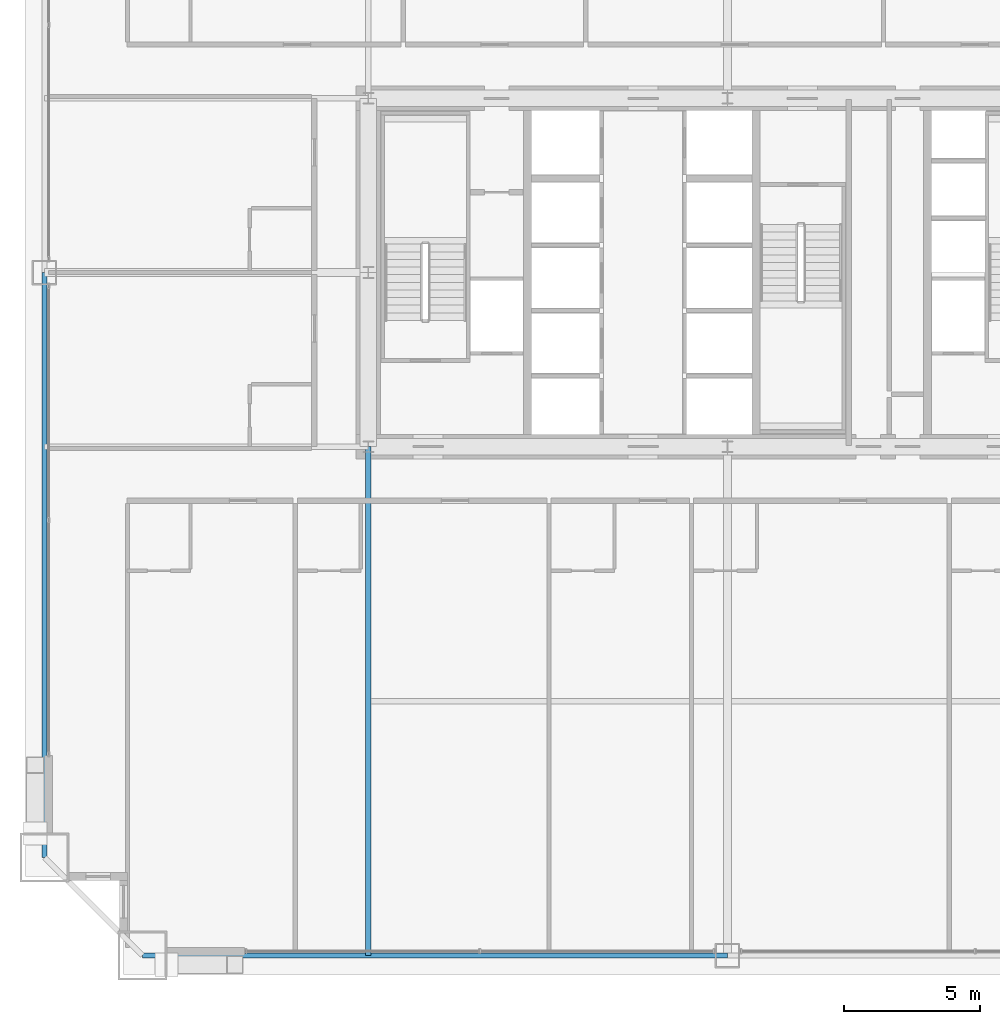
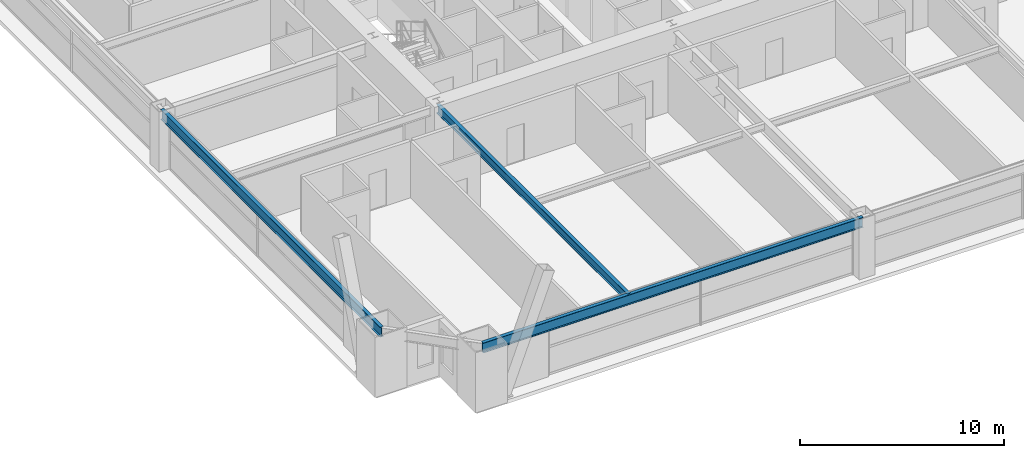
# One storey, part 4 of 43: 3 beams.
"""IFC4 building model written with IfcOpenShell, lengths in metres."""

from ifc_helpers import new_model, si_unit, direction, frame, origin, origin_2d, place, context, subcontext, project, spatial, i_section, extrude, source, transform, mapped, material, material_profile, profile_set, type_object, element, save


model = new_model("IFC4")

# Units and contexts
model_context = context("Model", 3, precision=1e-05, world=origin(), true_north=direction((0.0, 1.0)))
body_context = subcontext(model_context, "Body", "Model", "MODEL_VIEW")
ifc_project = project(units=[si_unit("LENGTHUNIT", "METRE"), si_unit("AREAUNIT", "SQUARE_METRE"), si_unit("VOLUMEUNIT", "CUBIC_METRE"), si_unit("PLANEANGLEUNIT", "RADIAN"), si_unit("MASSUNIT", "GRAM", prefix="KILO"), si_unit("THERMODYNAMICTEMPERATUREUNIT", "KELVIN"), si_unit("POWERUNIT", "WATT")], contexts=[model_context])

# Site, building, storey
site_placement = place(None, origin())
site = spatial("IfcSite", under=ifc_project, at=site_placement, CompositionType="ELEMENT")
building_placement = place(site_placement, origin())
building = spatial("IfcBuilding", under=site, at=building_placement, Name="Yuzanri Waterfront Tower", CompositionType="ELEMENT")
storey_placement = place(building_placement, frame((0.0, 0.0, 60.39990234375)))
storey = spatial("IfcBuildingStorey", under=building, at=storey_placement, Name="L15", CompositionType="ELEMENT", Elevation=60.39990234375)

# Beams
ifc_material_1 = material(Name="Steel Q355B", Category="steel")
ifc_material_profile_1 = material_profile(ifc_material_1, i_section(OverallWidth=0.199951171875, OverallDepth=0.60009765625, WebThickness=0.010986328125, FlangeThickness=0.01708984375, at=origin_2d()), Name="HN 600x200x11x17")
ifc_profile_set_1 = profile_set([ifc_material_profile_1], Name="Steel Q355B")
beam_type_1 = type_object("IfcBeamType", Name="Perimeter Spandrel Q355B HN 600x200", PredefinedType="SPANDREL", material=ifc_profile_set_1)
shared_shape_1 = source(origin(), body_context, "Body", "SweptSolid", [
    extrude(i_section(OverallWidth=0.199951171875, OverallDepth=0.60009765625, WebThickness=0.010986328125, FlangeThickness=0.01708984375, at=origin_2d()), origin(), (0.0, 0.0, 1.0), 21.5),
])
for number, where, z_axis, x_axis, name in (
    (1, (15.5, 0.699951171875, 3.080078125), (1.0, 0.0, 0.0), (0.0, 1.0, 0.0), "L15 Perimeter Spandrel S1-S2"),
    (2, (11.89990234375, 25.800048828125, 3.080078125), (0.0, -1.0, 0.0), (1.0, 0.0, 0.0), "L15 Perimeter Spandrel W2-W1"),
):
    element("IfcBeam", number, at=place(storey_placement, frame(where, z_axis=z_axis, x_axis=x_axis)), inside=storey, type_object=beam_type_1, Name=name, PredefinedType="SPANDREL", context=body_context, shape_type="MappedRepresentation", body=[
        mapped(shared_shape_1, transform((0.0, 0.0, 0.0), scale=1.0)),
    ])
ifc_material_2 = material(Name="Steel Q355B", Category="steel")
ifc_material_profile_2 = material_profile(ifc_material_2, i_section(OverallWidth=0.199951171875, OverallDepth=0.5, WebThickness=0.010009765625, FlangeThickness=0.01611328125, at=origin_2d()), Name="HN 500x200x10x16")
ifc_profile_set_2 = profile_set([ifc_material_profile_2], Name="Steel Q355B")
beam_type_2 = type_object("IfcBeamType", Name="Secondary Floor Beam Q355B HN 500x200", PredefinedType="BEAM", material=ifc_profile_set_2)
shared_shape_2 = source(origin(), body_context, "Body", "SweptSolid", [
    extrude(i_section(OverallWidth=0.199951171875, OverallDepth=0.5, WebThickness=0.010009765625, FlangeThickness=0.01611328125, at=origin_2d()), origin(), (0.0, 0.0, 1.0), 18.699951171875),
])
beam_placement = place(storey_placement, frame((23.800048828125, 19.39990234375, 3.130126953125), z_axis=(0.0, -1.0, 0.0), x_axis=(1.0, 0.0, 0.0)))
element("IfcBeam", 3, at=beam_placement, inside=storey, type_object=beam_type_2, Name="L15 South-West Core Line Beam", PredefinedType="BEAM", context=body_context, shape_type="MappedRepresentation", body=[
    mapped(shared_shape_2, transform((0.0, 0.0, 0.0), scale=1.0)),
])

save(model, "model.ifc")
